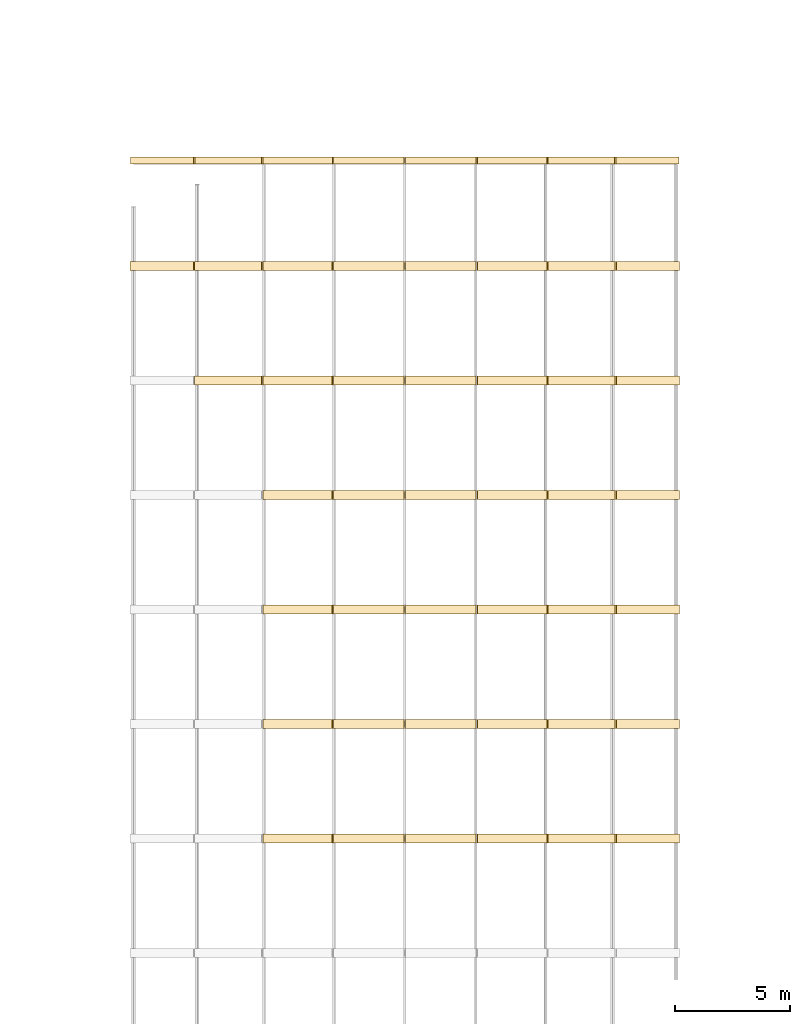
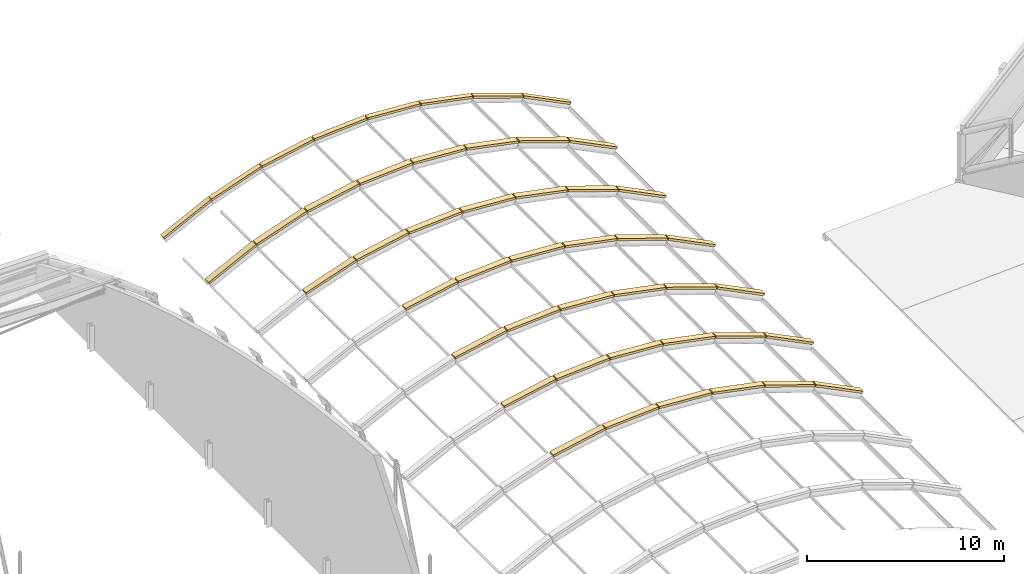
# One storey, part 196 of 196: 47 coverings.
"""IFC4 building model written with IfcOpenShell, lengths in metres."""

from ifc_helpers import new_model, si_unit, direction, frame, origin, place, context, subcontext, project, spatial, polyline, outline, extrude, material, layer, layer_set, type_object, element, save


model = new_model("IFC4")

# Units and contexts
model_context = context("Model", 3, precision=1e-05, world=origin(), true_north=direction((0.0, 1.0)))
body_context = subcontext(model_context, "Body", "Model", "MODEL_VIEW")
ifc_project = project(units=[si_unit("LENGTHUNIT", "METRE"), si_unit("AREAUNIT", "SQUARE_METRE"), si_unit("VOLUMEUNIT", "CUBIC_METRE"), si_unit("PLANEANGLEUNIT", "RADIAN"), si_unit("MASSUNIT", "GRAM", prefix="KILO")], contexts=[model_context])

# Site, building, storey
site_placement = place(None, origin())
site = spatial("IfcSite", under=ifc_project, at=site_placement, CompositionType="ELEMENT")
building_placement = place(site_placement, origin())
building = spatial("IfcBuilding", under=site, at=building_placement, Name="Okhra Congress Centre", CompositionType="ELEMENT")
storey_placement = place(building_placement, frame((0.0, 0.0, 12.0)))
storey = spatial("IfcBuildingStorey", under=building, at=storey_placement, Name="L02", CompositionType="ELEMENT", Elevation=12.0)

# Coverings
ifc_material = material(Name="Extruded aluminium capping, thermally broken", Category="aluminium")
ifc_layer = layer(ifc_material, 0.139892578125)
ifc_layer_set = layer_set([ifc_layer], Name="Aluminium rib capping 380")
covering_type = type_object("IfcCoveringType", Name="Aluminium rib capping 380", PredefinedType="CLADDING", material=ifc_layer_set)
covering_1_placement = place(storey_placement, frame((166.049560546875, 185.81005859375, 3.522216796875), z_axis=(-0.196632858865, 0.0, 0.980477189339), x_axis=(0.980477189339, 0.0, 0.196632858865)))
element("IfcCovering", 1, at=covering_1_placement, inside=storey, type_object=covering_type, Name="Rib capping 23.5", PredefinedType="CLADDING", context=body_context, shape_type="SweptSolid", body=[
    extrude(outline(polyline([(0.0, 0.0), (3.089116836864927, 0.0), (3.089116836864927, 0.3798828125), (0.0, 0.3798828125), (0.0, 0.0)])), origin(), (0.0, 0.0, -1.0), 0.139892578125),
])
for number, where, z_axis, x_axis, name in (
    (2, (169.1376953125, 185.81005859375, 4.137451171875), (-0.065994431109, 0.0, 0.997819991312), (0.997819991312, 0.0, 0.065994431109), "Rib capping 23.6"),
    (3, (172.280029296875, 185.81005859375, 4.34130859375), (0.065994431109, 0.0, 0.997819991312), (0.997819991312, 0.0, -0.065994431109), "Rib capping 23.7"),
):
    element("IfcCovering", number, at=place(storey_placement, frame(where, z_axis=z_axis, x_axis=x_axis)), inside=storey, type_object=covering_type, Name=name, PredefinedType="CLADDING", context=body_context, shape_type="SweptSolid", body=[
        extrude(outline(polyline([(0.0, 0.0), (3.0890094580797283, 0.0), (3.0890094580797283, 0.3798828125), (0.0, 0.3798828125), (0.0, 0.0)])), origin(), (0.0, 0.0, -1.0), 0.139892578125),
    ])
covering_2_placement = place(storey_placement, frame((175.421630859375, 185.81005859375, 4.129638671875), z_axis=(0.196632858865, 0.0, 0.980477189339), x_axis=(0.980477189339, 0.0, -0.196632858865)))
element("IfcCovering", 4, at=covering_2_placement, inside=storey, type_object=covering_type, Name="Rib capping 23.8", PredefinedType="CLADDING", context=body_context, shape_type="SweptSolid", body=[
    extrude(outline(polyline([(0.0, 0.0), (3.089116836864927, 0.0), (3.089116836864927, 0.3798828125), (0.0, 0.3798828125), (0.0, 0.0)])), origin(), (0.0, 0.0, -1.0), 0.139892578125),
])
covering_3_placement = place(storey_placement, frame((178.50830078125, 185.81005859375, 3.506591796875), z_axis=(0.323875724276, 0.0, 0.946099632822), x_axis=(0.946099632822, 0.0, -0.323875724276)))
element("IfcCovering", 5, at=covering_3_placement, inside=storey, type_object=covering_type, Name="Rib capping 23.9", PredefinedType="CLADDING", context=body_context, shape_type="SweptSolid", body=[
    extrude(outline(polyline([(0.0, 0.0), (3.0891116754363894, 0.0), (3.0891116754363894, 0.3798828125), (0.0, 0.3798828125), (0.0, 0.0)])), origin(), (0.0, 0.0, -1.0), 0.139892578125),
])
covering_4_placement = place(storey_placement, frame((181.486083984375, 185.81005859375, 2.48291015625), z_axis=(0.445569024037, 0.0, 0.895247588558), x_axis=(0.895247588558, 0.0, -0.445569024037)))
element("IfcCovering", 6, at=covering_4_placement, inside=storey, type_object=covering_type, Name="Rib capping 23.10", PredefinedType="CLADDING", context=body_context, shape_type="SweptSolid", body=[
    extrude(outline(polyline([(0.0, 0.0), (3.089229209156341, 0.0), (3.089229209156341, 0.3798828125), (0.0, 0.3798828125), (0.0, 0.0)])), origin(), (0.0, 0.0, -1.0), 0.139892578125),
])
covering_5_placement = place(storey_placement, frame((166.049560546875, 190.81005859375, 3.522216796875), z_axis=(-0.196632858865, 0.0, 0.980477189339), x_axis=(0.980477189339, 0.0, 0.196632858865)))
element("IfcCovering", 7, at=covering_5_placement, inside=storey, type_object=covering_type, Name="Rib capping 24.5", PredefinedType="CLADDING", context=body_context, shape_type="SweptSolid", body=[
    extrude(outline(polyline([(0.0, 0.0), (3.089116836864927, 0.0), (3.089116836864927, 0.3798828125), (0.0, 0.3798828125), (0.0, 0.0)])), origin(), (0.0, 0.0, -1.0), 0.139892578125),
])
for number, where, z_axis, x_axis, name in (
    (8, (169.1376953125, 190.81005859375, 4.137451171875), (-0.065994431109, 0.0, 0.997819991312), (0.997819991312, 0.0, 0.065994431109), "Rib capping 24.6"),
    (9, (172.280029296875, 190.81005859375, 4.34130859375), (0.065994431109, 0.0, 0.997819991312), (0.997819991312, 0.0, -0.065994431109), "Rib capping 24.7"),
):
    element("IfcCovering", number, at=place(storey_placement, frame(where, z_axis=z_axis, x_axis=x_axis)), inside=storey, type_object=covering_type, Name=name, PredefinedType="CLADDING", context=body_context, shape_type="SweptSolid", body=[
        extrude(outline(polyline([(0.0, 0.0), (3.0890094580797283, 0.0), (3.0890094580797283, 0.3798828125), (0.0, 0.3798828125), (0.0, 0.0)])), origin(), (0.0, 0.0, -1.0), 0.139892578125),
    ])
covering_6_placement = place(storey_placement, frame((175.421630859375, 190.81005859375, 4.129638671875), z_axis=(0.196632858865, 0.0, 0.980477189339), x_axis=(0.980477189339, 0.0, -0.196632858865)))
element("IfcCovering", 10, at=covering_6_placement, inside=storey, type_object=covering_type, Name="Rib capping 24.8", PredefinedType="CLADDING", context=body_context, shape_type="SweptSolid", body=[
    extrude(outline(polyline([(0.0, 0.0), (3.089116836864927, 0.0), (3.089116836864927, 0.3798828125), (0.0, 0.3798828125), (0.0, 0.0)])), origin(), (0.0, 0.0, -1.0), 0.139892578125),
])
covering_7_placement = place(storey_placement, frame((178.50830078125, 190.81005859375, 3.506591796875), z_axis=(0.323875724276, 0.0, 0.946099632822), x_axis=(0.946099632822, 0.0, -0.323875724276)))
element("IfcCovering", 11, at=covering_7_placement, inside=storey, type_object=covering_type, Name="Rib capping 24.9", PredefinedType="CLADDING", context=body_context, shape_type="SweptSolid", body=[
    extrude(outline(polyline([(0.0, 0.0), (3.0891116754363894, 0.0), (3.0891116754363894, 0.3798828125), (0.0, 0.3798828125), (0.0, 0.0)])), origin(), (0.0, 0.0, -1.0), 0.139892578125),
])
covering_8_placement = place(storey_placement, frame((181.486083984375, 190.81005859375, 2.48291015625), z_axis=(0.445569024037, 0.0, 0.895247588558), x_axis=(0.895247588558, 0.0, -0.445569024037)))
element("IfcCovering", 12, at=covering_8_placement, inside=storey, type_object=covering_type, Name="Rib capping 24.10", PredefinedType="CLADDING", context=body_context, shape_type="SweptSolid", body=[
    extrude(outline(polyline([(0.0, 0.0), (3.089229209156341, 0.0), (3.089229209156341, 0.3798828125), (0.0, 0.3798828125), (0.0, 0.0)])), origin(), (0.0, 0.0, -1.0), 0.139892578125),
])
covering_9_placement = place(storey_placement, frame((166.049560546875, 195.81005859375, 3.522216796875), z_axis=(-0.196632858865, 0.0, 0.980477189339), x_axis=(0.980477189339, 0.0, 0.196632858865)))
element("IfcCovering", 13, at=covering_9_placement, inside=storey, type_object=covering_type, Name="Rib capping 25.5", PredefinedType="CLADDING", context=body_context, shape_type="SweptSolid", body=[
    extrude(outline(polyline([(0.0, 0.0), (3.089116836864927, 0.0), (3.089116836864927, 0.3798828125), (0.0, 0.3798828125), (0.0, 0.0)])), origin(), (0.0, 0.0, -1.0), 0.139892578125),
])
for number, where, z_axis, x_axis, name in (
    (14, (169.1376953125, 195.81005859375, 4.137451171875), (-0.065994431109, 0.0, 0.997819991312), (0.997819991312, 0.0, 0.065994431109), "Rib capping 25.6"),
    (15, (172.280029296875, 195.81005859375, 4.34130859375), (0.065994431109, 0.0, 0.997819991312), (0.997819991312, 0.0, -0.065994431109), "Rib capping 25.7"),
):
    element("IfcCovering", number, at=place(storey_placement, frame(where, z_axis=z_axis, x_axis=x_axis)), inside=storey, type_object=covering_type, Name=name, PredefinedType="CLADDING", context=body_context, shape_type="SweptSolid", body=[
        extrude(outline(polyline([(0.0, 0.0), (3.0890094580797283, 0.0), (3.0890094580797283, 0.3798828125), (0.0, 0.3798828125), (0.0, 0.0)])), origin(), (0.0, 0.0, -1.0), 0.139892578125),
    ])
covering_10_placement = place(storey_placement, frame((175.421630859375, 195.81005859375, 4.129638671875), z_axis=(0.196632858865, 0.0, 0.980477189339), x_axis=(0.980477189339, 0.0, -0.196632858865)))
element("IfcCovering", 16, at=covering_10_placement, inside=storey, type_object=covering_type, Name="Rib capping 25.8", PredefinedType="CLADDING", context=body_context, shape_type="SweptSolid", body=[
    extrude(outline(polyline([(0.0, 0.0), (3.089116836864927, 0.0), (3.089116836864927, 0.3798828125), (0.0, 0.3798828125), (0.0, 0.0)])), origin(), (0.0, 0.0, -1.0), 0.139892578125),
])
covering_11_placement = place(storey_placement, frame((178.50830078125, 195.81005859375, 3.506591796875), z_axis=(0.323875724276, 0.0, 0.946099632822), x_axis=(0.946099632822, 0.0, -0.323875724276)))
element("IfcCovering", 17, at=covering_11_placement, inside=storey, type_object=covering_type, Name="Rib capping 25.9", PredefinedType="CLADDING", context=body_context, shape_type="SweptSolid", body=[
    extrude(outline(polyline([(0.0, 0.0), (3.0891116754363894, 0.0), (3.0891116754363894, 0.3798828125), (0.0, 0.3798828125), (0.0, 0.0)])), origin(), (0.0, 0.0, -1.0), 0.139892578125),
])
covering_12_placement = place(storey_placement, frame((181.486083984375, 195.81005859375, 2.48291015625), z_axis=(0.445569024037, 0.0, 0.895247588558), x_axis=(0.895247588558, 0.0, -0.445569024037)))
element("IfcCovering", 18, at=covering_12_placement, inside=storey, type_object=covering_type, Name="Rib capping 25.10", PredefinedType="CLADDING", context=body_context, shape_type="SweptSolid", body=[
    extrude(outline(polyline([(0.0, 0.0), (3.089229209156341, 0.0), (3.089229209156341, 0.3798828125), (0.0, 0.3798828125), (0.0, 0.0)])), origin(), (0.0, 0.0, -1.0), 0.139892578125),
])
covering_13_placement = place(storey_placement, frame((166.049560546875, 200.81005859375, 3.522216796875), z_axis=(-0.196632858865, 0.0, 0.980477189339), x_axis=(0.980477189339, 0.0, 0.196632858865)))
element("IfcCovering", 19, at=covering_13_placement, inside=storey, type_object=covering_type, Name="Rib capping 26.5", PredefinedType="CLADDING", context=body_context, shape_type="SweptSolid", body=[
    extrude(outline(polyline([(0.0, 0.0), (3.089116836864927, 0.0), (3.089116836864927, 0.3798828125), (0.0, 0.3798828125), (0.0, 0.0)])), origin(), (0.0, 0.0, -1.0), 0.139892578125),
])
for number, where, z_axis, x_axis, name in (
    (20, (169.1376953125, 200.81005859375, 4.137451171875), (-0.065994431109, 0.0, 0.997819991312), (0.997819991312, 0.0, 0.065994431109), "Rib capping 26.6"),
    (21, (172.280029296875, 200.81005859375, 4.34130859375), (0.065994431109, 0.0, 0.997819991312), (0.997819991312, 0.0, -0.065994431109), "Rib capping 26.7"),
):
    element("IfcCovering", number, at=place(storey_placement, frame(where, z_axis=z_axis, x_axis=x_axis)), inside=storey, type_object=covering_type, Name=name, PredefinedType="CLADDING", context=body_context, shape_type="SweptSolid", body=[
        extrude(outline(polyline([(0.0, 0.0), (3.0890094580797283, 0.0), (3.0890094580797283, 0.3798828125), (0.0, 0.3798828125), (0.0, 0.0)])), origin(), (0.0, 0.0, -1.0), 0.139892578125),
    ])
covering_14_placement = place(storey_placement, frame((175.421630859375, 200.81005859375, 4.129638671875), z_axis=(0.196632858865, 0.0, 0.980477189339), x_axis=(0.980477189339, 0.0, -0.196632858865)))
element("IfcCovering", 22, at=covering_14_placement, inside=storey, type_object=covering_type, Name="Rib capping 26.8", PredefinedType="CLADDING", context=body_context, shape_type="SweptSolid", body=[
    extrude(outline(polyline([(0.0, 0.0), (3.089116836864927, 0.0), (3.089116836864927, 0.3798828125), (0.0, 0.3798828125), (0.0, 0.0)])), origin(), (0.0, 0.0, -1.0), 0.139892578125),
])
covering_15_placement = place(storey_placement, frame((178.50830078125, 200.81005859375, 3.506591796875), z_axis=(0.323875724276, 0.0, 0.946099632822), x_axis=(0.946099632822, 0.0, -0.323875724276)))
element("IfcCovering", 23, at=covering_15_placement, inside=storey, type_object=covering_type, Name="Rib capping 26.9", PredefinedType="CLADDING", context=body_context, shape_type="SweptSolid", body=[
    extrude(outline(polyline([(0.0, 0.0), (3.0891116754363894, 0.0), (3.0891116754363894, 0.3798828125), (0.0, 0.3798828125), (0.0, 0.0)])), origin(), (0.0, 0.0, -1.0), 0.139892578125),
])
covering_16_placement = place(storey_placement, frame((181.486083984375, 200.81005859375, 2.48291015625), z_axis=(0.445569024037, 0.0, 0.895247588558), x_axis=(0.895247588558, 0.0, -0.445569024037)))
element("IfcCovering", 24, at=covering_16_placement, inside=storey, type_object=covering_type, Name="Rib capping 26.10", PredefinedType="CLADDING", context=body_context, shape_type="SweptSolid", body=[
    extrude(outline(polyline([(0.0, 0.0), (3.089229209156341, 0.0), (3.089229209156341, 0.3798828125), (0.0, 0.3798828125), (0.0, 0.0)])), origin(), (0.0, 0.0, -1.0), 0.139892578125),
])
covering_17_placement = place(storey_placement, frame((163.069091796875, 205.81005859375, 2.506103515625), z_axis=(-0.323875724276, 0.0, 0.946099632822), x_axis=(0.946099632822, 0.0, 0.323875724276)))
element("IfcCovering", 25, at=covering_17_placement, inside=storey, type_object=covering_type, Name="Rib capping 27.4", PredefinedType="CLADDING", context=body_context, shape_type="SweptSolid", body=[
    extrude(outline(polyline([(0.0, 0.0), (3.0891116754363894, 0.0), (3.0891116754363894, 0.3798828125), (0.0, 0.3798828125), (0.0, 0.0)])), origin(), (0.0, 0.0, -1.0), 0.139892578125),
])
covering_18_placement = place(storey_placement, frame((166.049560546875, 205.81005859375, 3.522216796875), z_axis=(-0.196632858865, 0.0, 0.980477189339), x_axis=(0.980477189339, 0.0, 0.196632858865)))
element("IfcCovering", 26, at=covering_18_placement, inside=storey, type_object=covering_type, Name="Rib capping 27.5", PredefinedType="CLADDING", context=body_context, shape_type="SweptSolid", body=[
    extrude(outline(polyline([(0.0, 0.0), (3.089116836864927, 0.0), (3.089116836864927, 0.3798828125), (0.0, 0.3798828125), (0.0, 0.0)])), origin(), (0.0, 0.0, -1.0), 0.139892578125),
])
for number, where, z_axis, x_axis, name in (
    (27, (169.1376953125, 205.81005859375, 4.137451171875), (-0.065994431109, 0.0, 0.997819991312), (0.997819991312, 0.0, 0.065994431109), "Rib capping 27.6"),
    (28, (172.280029296875, 205.81005859375, 4.34130859375), (0.065994431109, 0.0, 0.997819991312), (0.997819991312, 0.0, -0.065994431109), "Rib capping 27.7"),
):
    element("IfcCovering", number, at=place(storey_placement, frame(where, z_axis=z_axis, x_axis=x_axis)), inside=storey, type_object=covering_type, Name=name, PredefinedType="CLADDING", context=body_context, shape_type="SweptSolid", body=[
        extrude(outline(polyline([(0.0, 0.0), (3.0890094580797283, 0.0), (3.0890094580797283, 0.3798828125), (0.0, 0.3798828125), (0.0, 0.0)])), origin(), (0.0, 0.0, -1.0), 0.139892578125),
    ])
covering_19_placement = place(storey_placement, frame((175.421630859375, 205.81005859375, 4.129638671875), z_axis=(0.196632858865, 0.0, 0.980477189339), x_axis=(0.980477189339, 0.0, -0.196632858865)))
element("IfcCovering", 29, at=covering_19_placement, inside=storey, type_object=covering_type, Name="Rib capping 27.8", PredefinedType="CLADDING", context=body_context, shape_type="SweptSolid", body=[
    extrude(outline(polyline([(0.0, 0.0), (3.089116836864927, 0.0), (3.089116836864927, 0.3798828125), (0.0, 0.3798828125), (0.0, 0.0)])), origin(), (0.0, 0.0, -1.0), 0.139892578125),
])
covering_20_placement = place(storey_placement, frame((178.50830078125, 205.81005859375, 3.506591796875), z_axis=(0.323875724276, 0.0, 0.946099632822), x_axis=(0.946099632822, 0.0, -0.323875724276)))
element("IfcCovering", 30, at=covering_20_placement, inside=storey, type_object=covering_type, Name="Rib capping 27.9", PredefinedType="CLADDING", context=body_context, shape_type="SweptSolid", body=[
    extrude(outline(polyline([(0.0, 0.0), (3.0891116754363894, 0.0), (3.0891116754363894, 0.3798828125), (0.0, 0.3798828125), (0.0, 0.0)])), origin(), (0.0, 0.0, -1.0), 0.139892578125),
])
for number, where, z_axis, x_axis, name in (
    (31, (181.486083984375, 205.81005859375, 2.48291015625), (0.445569024037, 0.0, 0.895247588558), (0.895247588558, 0.0, -0.445569024037), "Rib capping 27.10"),
    (32, (160.248291015625, 210.81005859375, 1.1064453125), (-0.445569024037, 0.0, 0.895247588558), (0.895247588558, 0.0, 0.445569024037), "Rib capping 28.3"),
):
    element("IfcCovering", number, at=place(storey_placement, frame(where, z_axis=z_axis, x_axis=x_axis)), inside=storey, type_object=covering_type, Name=name, PredefinedType="CLADDING", context=body_context, shape_type="SweptSolid", body=[
        extrude(outline(polyline([(0.0, 0.0), (3.089229209156341, 0.0), (3.089229209156341, 0.3798828125), (0.0, 0.3798828125), (0.0, 0.0)])), origin(), (0.0, 0.0, -1.0), 0.139892578125),
    ])
covering_21_placement = place(storey_placement, frame((163.069091796875, 210.81005859375, 2.506103515625), z_axis=(-0.323875724276, 0.0, 0.946099632822), x_axis=(0.946099632822, 0.0, 0.323875724276)))
element("IfcCovering", 33, at=covering_21_placement, inside=storey, type_object=covering_type, Name="Rib capping 28.4", PredefinedType="CLADDING", context=body_context, shape_type="SweptSolid", body=[
    extrude(outline(polyline([(0.0, 0.0), (3.0891116754363894, 0.0), (3.0891116754363894, 0.3798828125), (0.0, 0.3798828125), (0.0, 0.0)])), origin(), (0.0, 0.0, -1.0), 0.139892578125),
])
covering_22_placement = place(storey_placement, frame((166.049560546875, 210.81005859375, 3.522216796875), z_axis=(-0.196632858865, 0.0, 0.980477189339), x_axis=(0.980477189339, 0.0, 0.196632858865)))
element("IfcCovering", 34, at=covering_22_placement, inside=storey, type_object=covering_type, Name="Rib capping 28.5", PredefinedType="CLADDING", context=body_context, shape_type="SweptSolid", body=[
    extrude(outline(polyline([(0.0, 0.0), (3.089116836864927, 0.0), (3.089116836864927, 0.3798828125), (0.0, 0.3798828125), (0.0, 0.0)])), origin(), (0.0, 0.0, -1.0), 0.139892578125),
])
for number, where, z_axis, x_axis, name in (
    (35, (169.1376953125, 210.81005859375, 4.137451171875), (-0.065994431109, 0.0, 0.997819991312), (0.997819991312, 0.0, 0.065994431109), "Rib capping 28.6"),
    (36, (172.280029296875, 210.81005859375, 4.34130859375), (0.065994431109, 0.0, 0.997819991312), (0.997819991312, 0.0, -0.065994431109), "Rib capping 28.7"),
):
    element("IfcCovering", number, at=place(storey_placement, frame(where, z_axis=z_axis, x_axis=x_axis)), inside=storey, type_object=covering_type, Name=name, PredefinedType="CLADDING", context=body_context, shape_type="SweptSolid", body=[
        extrude(outline(polyline([(0.0, 0.0), (3.0890094580797283, 0.0), (3.0890094580797283, 0.3798828125), (0.0, 0.3798828125), (0.0, 0.0)])), origin(), (0.0, 0.0, -1.0), 0.139892578125),
    ])
covering_23_placement = place(storey_placement, frame((175.421630859375, 210.81005859375, 4.129638671875), z_axis=(0.196632858865, 0.0, 0.980477189339), x_axis=(0.980477189339, 0.0, -0.196632858865)))
element("IfcCovering", 37, at=covering_23_placement, inside=storey, type_object=covering_type, Name="Rib capping 28.8", PredefinedType="CLADDING", context=body_context, shape_type="SweptSolid", body=[
    extrude(outline(polyline([(0.0, 0.0), (3.089116836864927, 0.0), (3.089116836864927, 0.3798828125), (0.0, 0.3798828125), (0.0, 0.0)])), origin(), (0.0, 0.0, -1.0), 0.139892578125),
])
covering_24_placement = place(storey_placement, frame((178.50830078125, 210.81005859375, 3.506591796875), z_axis=(0.323875724276, 0.0, 0.946099632822), x_axis=(0.946099632822, 0.0, -0.323875724276)))
element("IfcCovering", 38, at=covering_24_placement, inside=storey, type_object=covering_type, Name="Rib capping 28.9", PredefinedType="CLADDING", context=body_context, shape_type="SweptSolid", body=[
    extrude(outline(polyline([(0.0, 0.0), (3.0891116754363894, 0.0), (3.0891116754363894, 0.3798828125), (0.0, 0.3798828125), (0.0, 0.0)])), origin(), (0.0, 0.0, -1.0), 0.139892578125),
])
covering_25_placement = place(storey_placement, frame((181.486083984375, 210.81005859375, 2.48291015625), z_axis=(0.445569024037, 0.0, 0.895247588558), x_axis=(0.895247588558, 0.0, -0.445569024037)))
element("IfcCovering", 39, at=covering_25_placement, inside=storey, type_object=covering_type, Name="Rib capping 28.10", PredefinedType="CLADDING", context=body_context, shape_type="SweptSolid", body=[
    extrude(outline(polyline([(0.0, 0.0), (3.089229209156341, 0.0), (3.089229209156341, 0.3798828125), (0.0, 0.3798828125), (0.0, 0.0)])), origin(), (0.0, 0.0, -1.0), 0.139892578125),
])
covering_26_placement = place(storey_placement, frame((160.26904296875, 215.449951171875, 1.07080078125), z_axis=(-0.445566111343, 0.0, 0.895249038214), x_axis=(0.895249038214, 0.0, 0.445566111343)))
element("IfcCovering", 40, at=covering_26_placement, inside=storey, type_object=covering_type, Name="Rib capping 29.3", PredefinedType="CLADDING", context=body_context, shape_type="SweptSolid", body=[
    extrude(outline(polyline([(0.0, 0.0), (3.083770068056567, 0.0), (3.083770068056567, 0.300048828125), (0.0, 0.300048828125), (0.0, 0.0)])), origin(), (0.0, 0.0, -1.0), 0.139892578125),
])
covering_27_placement = place(storey_placement, frame((163.0849609375, 215.449951171875, 2.468017578125), z_axis=(-0.323889109008, 0.0, 0.946095050757), x_axis=(0.946095050757, 0.0, 0.323889109008)))
element("IfcCovering", 41, at=covering_27_placement, inside=storey, type_object=covering_type, Name="Rib capping 29.4", PredefinedType="CLADDING", context=body_context, shape_type="SweptSolid", body=[
    extrude(outline(polyline([(0.0, 0.0), (3.0837075687237014, 0.0), (3.0837075687237014, 0.300048828125), (0.0, 0.300048828125), (0.0, 0.0)])), origin(), (0.0, 0.0, -1.0), 0.139892578125),
])
covering_28_placement = place(storey_placement, frame((166.060302734375, 215.449951171875, 3.482421875), z_axis=(-0.196664221058, 0.0, 0.980470899189), x_axis=(0.980470899189, 0.0, 0.196664221058)))
element("IfcCovering", 42, at=covering_28_placement, inside=storey, type_object=covering_type, Name="Rib capping 29.5", PredefinedType="CLADDING", context=body_context, shape_type="SweptSolid", body=[
    extrude(outline(polyline([(0.0, 0.0), (3.083658579262541, 0.0), (3.083658579262541, 0.300048828125), (0.0, 0.300048828125), (0.0, 0.0)])), origin(), (0.0, 0.0, -1.0), 0.139892578125),
])
for number, where, z_axis, x_axis, name in (
    (43, (169.14306640625, 215.449951171875, 4.0966796875), (-0.065951473354, 0.0, 0.99782283155), (0.99782283155, 0.0, 0.065951473354), "Rib capping 29.6"),
    (44, (172.280029296875, 215.449951171875, 4.300048828125), (0.065951473354, 0.0, 0.99782283155), (0.99782283155, 0.0, -0.065951473354), "Rib capping 29.7"),
):
    element("IfcCovering", number, at=place(storey_placement, frame(where, z_axis=z_axis, x_axis=x_axis)), inside=storey, type_object=covering_type, Name=name, PredefinedType="CLADDING", context=body_context, shape_type="SweptSolid", body=[
        extrude(outline(polyline([(0.0, 0.0), (3.0836178523750943, 0.0), (3.0836178523750943, 0.30004882812500006), (0.0, 0.30004882812500006), (0.0, 0.0)])), origin(), (0.0, 0.0, -1.0), 0.139892578125),
    ])
covering_29_placement = place(storey_placement, frame((175.416259765625, 215.449951171875, 4.0888671875), z_axis=(0.196664221058, 0.0, 0.980470899189), x_axis=(0.980470899189, 0.0, -0.196664221058)))
element("IfcCovering", 45, at=covering_29_placement, inside=storey, type_object=covering_type, Name="Rib capping 29.8", PredefinedType="CLADDING", context=body_context, shape_type="SweptSolid", body=[
    extrude(outline(polyline([(0.0, 0.0), (3.083658579262541, 0.0), (3.083658579262541, 0.300048828125), (0.0, 0.300048828125), (0.0, 0.0)])), origin(), (0.0, 0.0, -1.0), 0.139892578125),
])
covering_30_placement = place(storey_placement, frame((178.49755859375, 215.449951171875, 3.466796875), z_axis=(0.323889109008, 0.0, 0.946095050757), x_axis=(0.946095050757, 0.0, -0.323889109008)))
element("IfcCovering", 46, at=covering_30_placement, inside=storey, type_object=covering_type, Name="Rib capping 29.9", PredefinedType="CLADDING", context=body_context, shape_type="SweptSolid", body=[
    extrude(outline(polyline([(0.0, 0.0), (3.0837075687237014, 0.0), (3.0837075687237014, 0.300048828125), (0.0, 0.300048828125), (0.0, 0.0)])), origin(), (0.0, 0.0, -1.0), 0.139892578125),
])
covering_31_placement = place(storey_placement, frame((181.47021484375, 215.449951171875, 2.44482421875), z_axis=(0.445566111343, 0.0, 0.895249038214), x_axis=(0.895249038214, 0.0, -0.445566111343)))
element("IfcCovering", 47, at=covering_31_placement, inside=storey, type_object=covering_type, Name="Rib capping 29.10", PredefinedType="CLADDING", context=body_context, shape_type="SweptSolid", body=[
    extrude(outline(polyline([(0.0, 0.0), (3.083770068056567, 0.0), (3.083770068056567, 0.300048828125), (0.0, 0.300048828125), (0.0, 0.0)])), origin(), (0.0, 0.0, -1.0), 0.139892578125),
])

save(model, "model.ifc")
